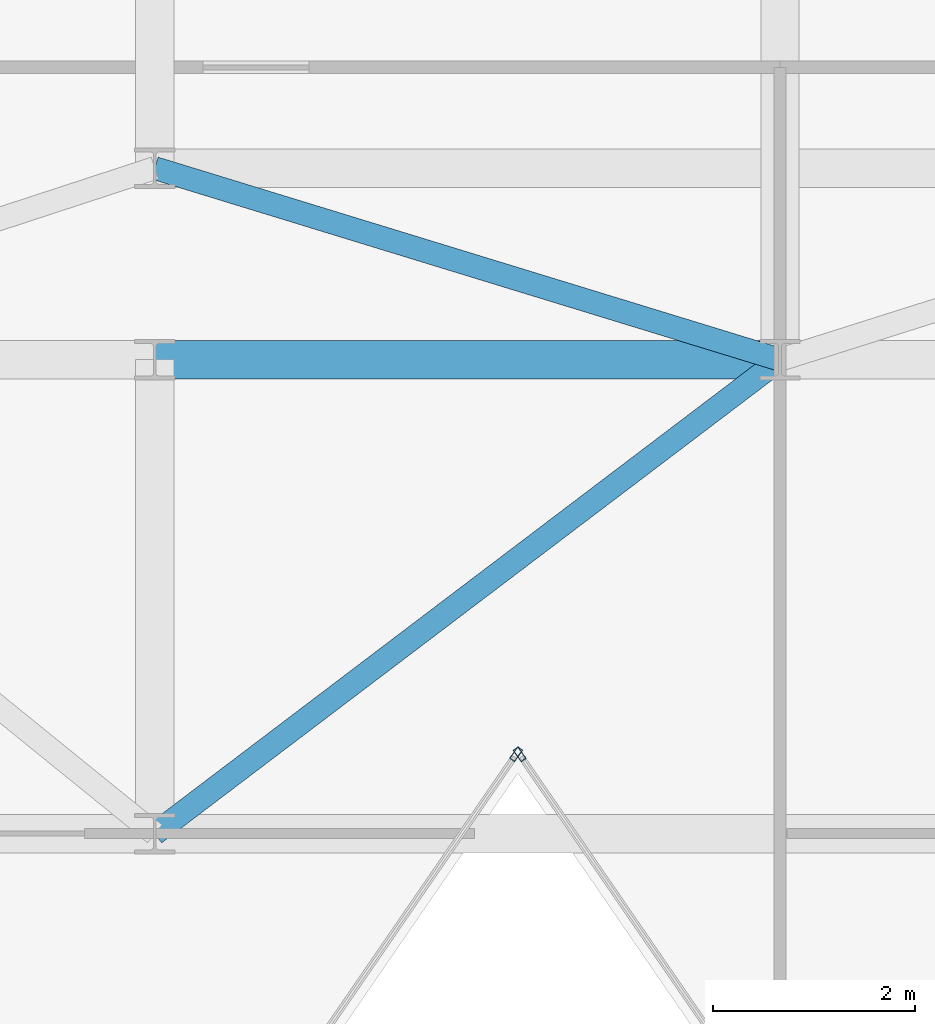
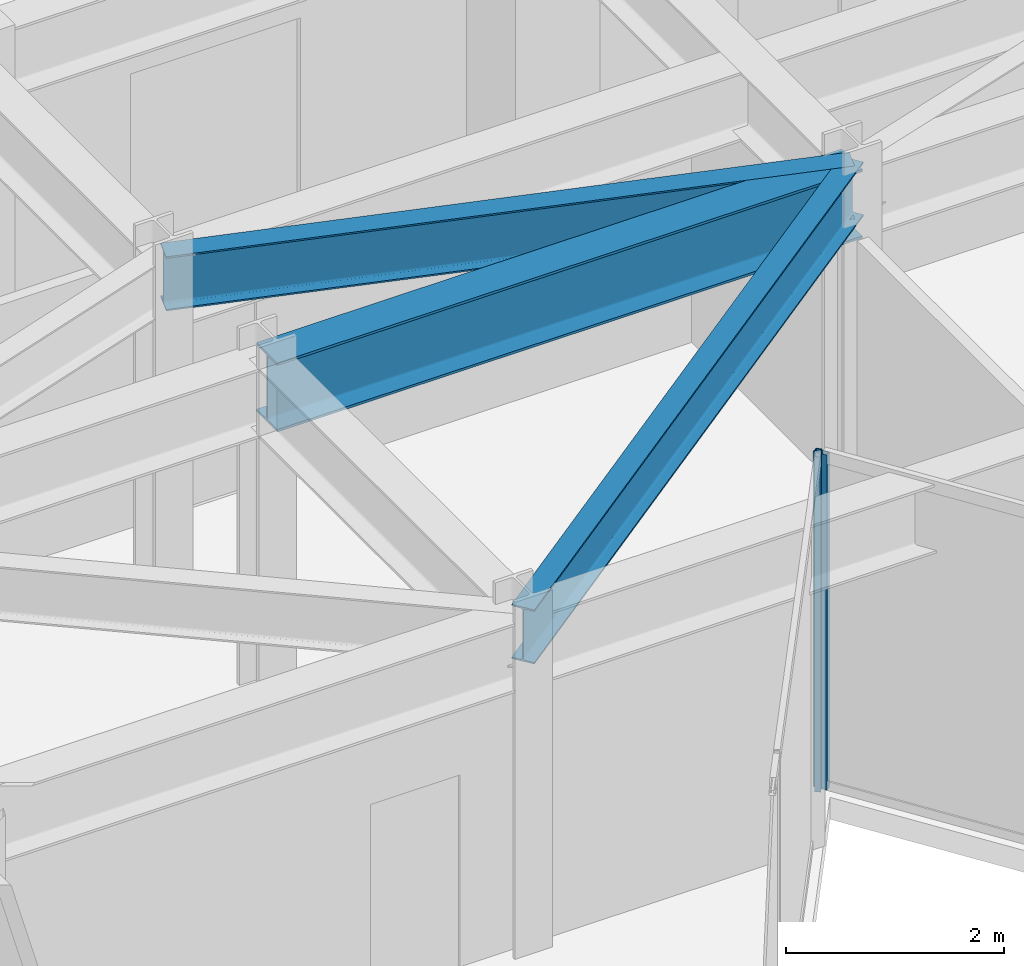
# One storey, part 8 of 21: 3 beams, 2 members, 2 elements without a shape of their own.
"""IFC4 building model written with IfcOpenShell, lengths in metres."""

from ifc_helpers import new_model, si_unit, direction, frame, origin, origin_2d, place, context, subcontext, project, spatial, hollow_rectangle, i_section, extrude, material, layer, layer_set, material_profile, profile_set, type_object, element, aggregate, save


model = new_model("IFC4")

# Units and contexts
model_context = context("Model", 3, precision=1e-05, world=origin(), true_north=direction((0.0, 1.0)))
body_context = subcontext(model_context, "Body", "Model", "MODEL_VIEW")
ifc_project = project(units=[si_unit("LENGTHUNIT", "METRE"), si_unit("AREAUNIT", "SQUARE_METRE"), si_unit("VOLUMEUNIT", "CUBIC_METRE"), si_unit("PLANEANGLEUNIT", "RADIAN"), si_unit("MASSUNIT", "GRAM", prefix="KILO")], contexts=[model_context])

# Site, building, storey
site_placement = place(None, origin())
site = spatial("IfcSite", under=ifc_project, at=site_placement, CompositionType="ELEMENT")
building_placement = place(site_placement, origin())
building = spatial("IfcBuilding", under=site, at=building_placement, Name="Kravanh Interchange Tower", CompositionType="ELEMENT")
storey_placement = place(building_placement, frame((0.0, 0.0, 208.5)))
storey = spatial("IfcBuildingStorey", under=building, at=storey_placement, Name="L50", CompositionType="ELEMENT", Elevation=208.5)

# Curtain wall, member
ifc_material_1 = material(Name="Anodised Bronze Aluminium", Category="aluminium")
ifc_layer = layer(ifc_material_1, 0.179931640625)
ifc_layer_set = layer_set([ifc_layer], Name="Unitised Curtain Wall System CW-Z3 Upper Office")
curtain_wall_type = type_object("IfcCurtainWallType", Name="Unitised Curtain Wall System CW-Z3 Upper Office", PredefinedType="NOTDEFINED", material=ifc_layer_set)
curtain_wall_1_placement = place(storey_placement, origin())
curtain_wall_1 = element("IfcCurtainWall", 1, at=curtain_wall_1_placement, inside=storey, type_object=curtain_wall_type, Name="L50 Unitised Curtain Wall CW-L50-03", PredefinedType="NOTDEFINED")
ifc_material_2 = material(Name="Anodised Bronze Aluminium", Category="aluminium")
ifc_material_profile_1 = material_profile(ifc_material_2, hollow_rectangle(XDim=0.06005859375, YDim=0.139892578125, WallThickness=0.00390625, at=origin_2d()), Name="ALU60X140X4")
ifc_profile_set_1 = profile_set([ifc_material_profile_1], Name="Anodised Bronze Aluminium")
member_type = type_object("IfcMemberType", Name="Curtain Wall Mullion ALU60X140X4 Bronze", PredefinedType="MULLION", material=ifc_profile_set_1)
member_1_placement = place(storey_placement, frame((42.217041015625, 27.587158203125, 0.0), z_axis=(0.0, 0.0, 1.0), x_axis=(-0.824042223035, -0.566528388217, 0.0)))
member_1 = element("IfcMember", 2, at=member_1_placement, type_object=member_type, Name="CW-Z3 mullion 5", PredefinedType="MULLION", context=body_context, shape_type="SweptSolid", body=[
    extrude(hollow_rectangle(XDim=0.06005859375, YDim=0.139892578125, WallThickness=0.00390625, at=origin_2d()), origin(), (0.0, 0.0, 1.0), 3.7548828125),
])
aggregate(curtain_wall_1, [member_1])

curtain_wall_2_placement = place(storey_placement, origin())
curtain_wall_2 = element("IfcCurtainWall", 3, at=curtain_wall_2_placement, inside=storey, type_object=curtain_wall_type, Name="L50 Unitised Curtain Wall CW-L50-04", PredefinedType="NOTDEFINED")
member_2_placement = place(storey_placement, frame((42.18310546875, 27.587158203125, 0.0), z_axis=(0.0, 0.0, 1.0), x_axis=(0.824042223035, -0.566528388217, 0.0)))
member_2 = element("IfcMember", 4, at=member_2_placement, type_object=member_type, Name="CW-Z3 mullion 1", PredefinedType="MULLION", context=body_context, shape_type="SweptSolid", body=[
    extrude(hollow_rectangle(XDim=0.06005859375, YDim=0.139892578125, WallThickness=0.00390625, at=origin_2d()), origin(), (0.0, 0.0, 1.0), 3.7548828125),
])
aggregate(curtain_wall_2, [member_2])

# Beams
ifc_material_3 = material(Name="Structural Steel S355", Category="steel")
ifc_material_profile_2 = material_profile(ifc_material_3, i_section(OverallWidth=0.381103515625, OverallDepth=0.77294921875, WebThickness=0.0166015625, FlangeThickness=0.027099609375, FilletRadius=0.02490234375, at=origin_2d()), Name="W30X173")
ifc_profile_set_2 = profile_set([ifc_material_profile_2], Name="Structural Steel S355")
beam_type_1 = type_object("IfcBeamType", Name="Floor Beam W30X173 Structural Steel S355", PredefinedType="BEAM", material=ifc_profile_set_2)
beam_1_placement = place(storey_placement, frame((38.60009765625, 31.5, 3.368408203125), z_axis=(1.0, 0.0, 0.0), x_axis=(0.0, 1.0, 0.0)))
element("IfcBeam", 5, at=beam_1_placement, inside=storey, type_object=beam_type_1, Name="L50 Primary Floor Girder 72", PredefinedType="BEAM", context=body_context, shape_type="SweptSolid", body=[
    extrude(i_section(OverallWidth=0.381103515625, OverallDepth=0.77294921875, WebThickness=0.0166015625, FlangeThickness=0.027099609375, FilletRadius=0.02490234375, at=origin_2d()), origin(), (0.0, 0.0, 1.0), 6.199951171875),
])
ifc_material_4 = material(Name="Structural Steel S355", Category="steel")
ifc_material_profile_3 = material_profile(ifc_material_4, i_section(OverallWidth=0.22802734375, OverallDepth=0.60791015625, WebThickness=0.01123046875, FlangeThickness=0.017333984375, FilletRadius=0.02197265625, at=origin_2d()), Name="W24X76")
ifc_profile_set_3 = profile_set([ifc_material_profile_3], Name="Structural Steel S355")
beam_type_2 = type_object("IfcBeamType", Name="Floor Spandrel W24X76 Structural Steel S355", PredefinedType="SPANDREL", material=ifc_profile_set_3)
beam_2_placement = place(storey_placement, frame((38.60009765625, 26.800048828125, 3.450927734375), z_axis=(0.796905365509, 0.604104161898, 0.0), x_axis=(-0.604104161898, 0.796905365509, 0.0)))
element("IfcBeam", 6, at=beam_2_placement, inside=storey, type_object=beam_type_2, Name="L50 Perimeter Spandrel 47", PredefinedType="SPANDREL", context=body_context, shape_type="SweptSolid", body=[
    extrude(i_section(OverallWidth=0.22802734375, OverallDepth=0.60791015625, WebThickness=0.01123046875, FlangeThickness=0.017333984375, FilletRadius=0.02197265625, at=origin_2d()), origin(), (0.0, 0.0, 1.0), 7.780029296875),
])
beam_3_placement = place(storey_placement, frame((44.800048828125, 31.5, 3.450927734375), z_axis=(-0.956115397264, 0.292990353279, 0.0), x_axis=(-0.292990353279, -0.956115397264, 0.0)))
element("IfcBeam", 7, at=beam_3_placement, inside=storey, type_object=beam_type_2, Name="L50 Perimeter Spandrel 76", PredefinedType="SPANDREL", context=body_context, shape_type="SweptSolid", body=[
    extrude(i_section(OverallWidth=0.22802734375, OverallDepth=0.60791015625, WebThickness=0.01123046875, FlangeThickness=0.017333984375, FilletRadius=0.02197265625, at=origin_2d()), origin(), (0.0, 0.0, 1.0), 6.484619140625),
])

save(model, "model.ifc")
